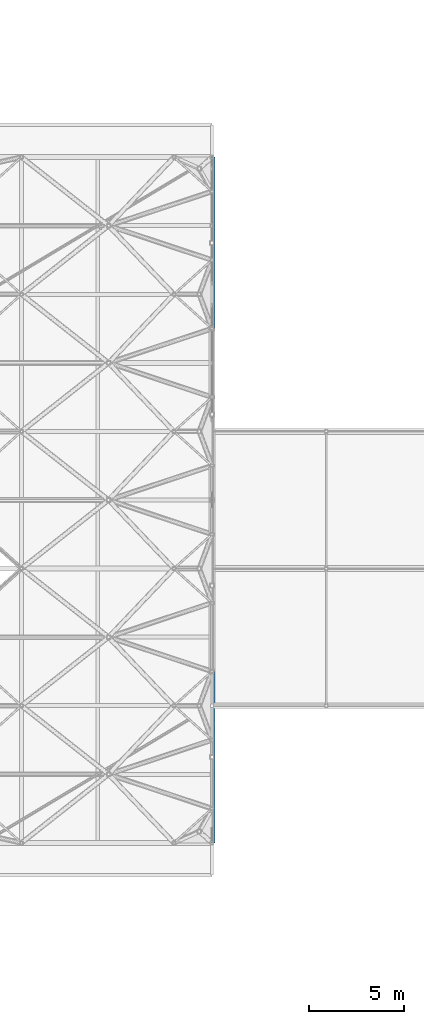
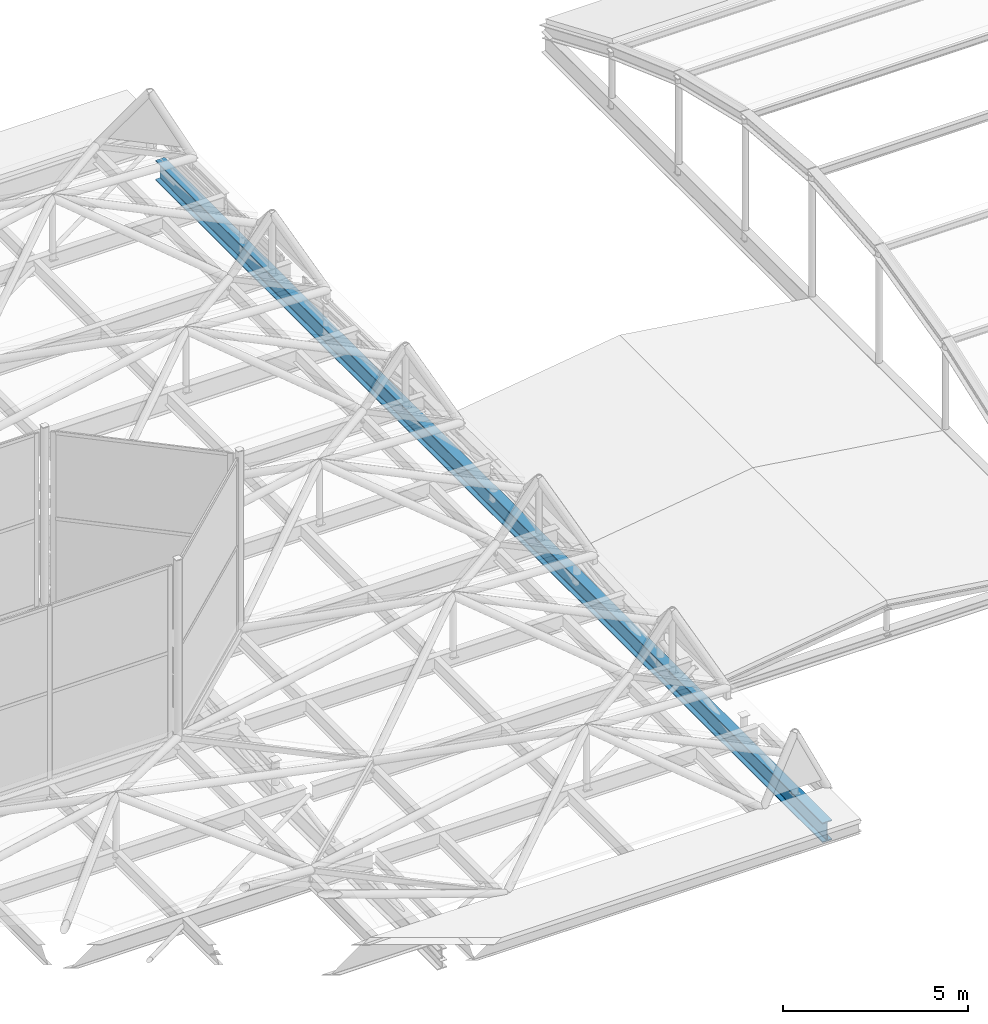
# One storey, part 145 of 239: 1 beam.
"""IFC4 building model written with IfcOpenShell, lengths in metres."""

import ifcopenshell
import ifcopenshell.guid

model = None  # the IFC model being written
_history = None  # IfcOwnerHistory: only IFC2X3 demands one
_inside = {}  # id of a spatial element -> (the spatial element, [elements in it])
_under = {}  # id of a project, library or spatial element -> (it, [spatial elements below it])
_declared = {}  # id of a project -> (the project, [libraries it declares])
_typed = {}  # id of a type object -> (the type object, [elements of that type])
_made_of = {}  # id of a material, layer set ... -> (it, [elements and type objects made of it])


def new_model(schema):
    """Start an empty IFC model of exactly this schema.

    Asked for "IFC4X3", IfcOpenShell would pick the latest addendum, in which some entities
    have other attributes; the version numbers below select the first issue.
    IFC2X3 requires an IfcOwnerHistory on every rooted entity: one is made here for all.
    """
    global model, _history
    if schema == "IFC4X3":
        model = ifcopenshell.file(schema_version=(4, 3, 0, 0))
    else:
        model = ifcopenshell.file(schema=schema)
    _inside.clear()
    _under.clear()
    _declared.clear()
    _typed.clear()
    _made_of.clear()
    _history = None
    if model.schema == "IFC2X3":
        org = make("IfcOrganization", Name="unknown")
        user = make(
            "IfcPersonAndOrganization",
            ThePerson=make("IfcPerson", FamilyName="unknown"),
            TheOrganization=org,
        )
        app = make(
            "IfcApplication",
            ApplicationDeveloper=org,
            Version="unknown",
            ApplicationFullName="unknown",
            ApplicationIdentifier="unknown",
        )
        _history = make(
            "IfcOwnerHistory",
            OwningUser=user,
            OwningApplication=app,
            ChangeAction="ADDED",
            CreationDate=0,
        )
    return model


def make(cls, **values):
    """One entity of the class cls with the attributes given. An attribute that is None is left unset."""
    return model.create_entity(
        cls, **{name: value for name, value in values.items() if value is not None}
    )


def rooted(cls, **values):
    """An entity with a GlobalId (a new one), such as an element, a storey or a relation."""
    return make(cls, GlobalId=ifcopenshell.guid.new(), OwnerHistory=_history, **values)


def si_unit(unit_type, name, prefix=None):
    """IfcSIUnit, for example si_unit("LENGTHUNIT", "METRE", prefix="MILLI")."""
    return make("IfcSIUnit", UnitType=unit_type, Prefix=prefix, Name=name)


def assignment(units):
    """IfcUnitAssignment: the units of a project."""
    return None if units is None else make("IfcUnitAssignment", Units=units)


def point(xyz):
    """IfcCartesianPoint."""
    return None if xyz is None else make("IfcCartesianPoint", Coordinates=xyz)


def direction(xyz):
    """IfcDirection."""
    return None if xyz is None else make("IfcDirection", DirectionRatios=xyz)


def frame(location, z_axis=None, x_axis=None):
    """IfcAxis2Placement3D, a coordinate frame: its origin and axes. An axis left out is left unset."""
    return make(
        "IfcAxis2Placement3D",
        Location=point(location),
        Axis=direction(z_axis),
        RefDirection=direction(x_axis),
    )


def frame_2d(location, x_axis=None):
    """IfcAxis2Placement2D, a coordinate frame in the plane: its origin and x axis."""
    return make(
        "IfcAxis2Placement2D", Location=point(location), RefDirection=direction(x_axis)
    )


def origin():
    """The frame at (0, 0, 0) with its axes left unset."""
    return frame((0.0, 0.0, 0.0))


def origin_2d():
    """The frame at (0, 0) in the plane with its x axis left unset."""
    return frame_2d((0.0, 0.0))


def place(relative_to, where):
    """IfcLocalPlacement: puts the frame where relative to a parent placement (None: the world)."""
    return make(
        "IfcLocalPlacement", PlacementRelTo=relative_to, RelativePlacement=where
    )


def context(
    kind, dimensions, precision=None, world=None, true_north=None, identifier=None
):
    """IfcGeometricRepresentationContext, for example the 3D "Model" context."""
    return make(
        "IfcGeometricRepresentationContext",
        ContextIdentifier=identifier,
        ContextType=kind,
        CoordinateSpaceDimension=dimensions,
        Precision=precision,
        WorldCoordinateSystem=world,
        TrueNorth=true_north,
    )


def subcontext(parent, identifier, kind, view, scale=None):
    """IfcGeometricRepresentationSubContext, for example "Body" below "Model"."""
    return make(
        "IfcGeometricRepresentationSubContext",
        ContextIdentifier=identifier,
        ContextType=kind,
        ParentContext=parent,
        TargetScale=scale,
        TargetView=view,
    )


def project(units=None, contexts=None):
    """IfcProject with its units and contexts."""
    return rooted(
        "IfcProject",
        Name="project",
        RepresentationContexts=contexts,
        UnitsInContext=assignment(units),
    )


def spatial(cls, under=None, at=None, **own):
    """A site, building, storey or space (cls), placed at a placement, below another one or the project."""
    s = rooted(cls, ObjectPlacement=at, **own)
    if under is not None:
        _under.setdefault(under.id(), (under, []))[1].append(s)
    return s


def profile(cls, at=None, kind="AREA", **sizes):
    """A parametric profile (cls). Its sizes go by their IFC names, for example OverallWidth=200.0."""
    return make(cls, ProfileType=kind, Position=at, **sizes)


def i_section(**sizes):
    """IfcIShapeProfileDef."""
    return profile("IfcIShapeProfileDef", **sizes)


def extrude(swept, where, along, depth):
    """IfcExtrudedAreaSolid: the profile swept, set in the frame where, extruded along a direction by depth."""
    return make(
        "IfcExtrudedAreaSolid",
        SweptArea=swept,
        Position=where,
        ExtrudedDirection=direction(along),
        Depth=depth,
    )


def shape(context_of_items, identifier, shape_type, items):
    """IfcShapeRepresentation: the items that make up one representation, for example the "Body"."""
    return make(
        "IfcShapeRepresentation",
        ContextOfItems=context_of_items,
        RepresentationIdentifier=identifier,
        RepresentationType=shape_type,
        Items=items,
    )


def material(Name=None, Category=None):
    """IfcMaterial."""
    return make("IfcMaterial", Name=Name, Category=Category)


def material_profile(
    of_material, cross_section, Name=None, Category=None, Priority=None
):
    """IfcMaterialProfile: a cross section and its material."""
    return make(
        "IfcMaterialProfile",
        Name=Name,
        Material=of_material,
        Profile=cross_section,
        Priority=Priority,
        Category=Category,
    )


def profile_set(profiles, Name=None, composite=None):
    """IfcMaterialProfileSet."""
    return make(
        "IfcMaterialProfileSet",
        Name=Name,
        MaterialProfiles=profiles,
        CompositeProfile=composite,
    )


def made_of(thing, what):
    """Note that an element or type object is made of a material, layer set ...; save() writes the relation."""
    if what is not None:
        _made_of.setdefault(what.id(), (what, []))[1].append(thing)
    return thing


def type_object(cls, material=None, **own):
    """A type object (cls), such as IfcWallType, which elements share."""
    return made_of(rooted(cls, **own), material)


def element(
    cls,
    number,
    at=None,
    inside=None,
    cuts=None,
    type_object=None,
    material=None,
    context=None,
    identifier="Body",
    shape_type=None,
    held_by="IfcProductDefinitionShape",
    body=None,
    shapes=None,
    **own,
):
    """One element of the class cls, such as IfcWall. Its Tag is "e" and its number.

    at: its placement. inside: the storey or other place that contains it. cuts: it is an
    opening in that element (IfcRelVoidsElement). A single representation is given by context,
    identifier, shape_type and body (its items); several are given by shapes. held_by: the class
    of the entity that holds the representations. save() writes the other relations.
    """
    e = rooted(cls, Tag="e%d" % number, ObjectPlacement=at, **own)
    if body is not None:
        shapes = [shape(context, identifier, shape_type, body)]
    if shapes is not None:
        e.Representation = make(held_by, Representations=shapes)
    if inside is not None:
        _inside.setdefault(inside.id(), (inside, []))[1].append(e)
    if cuts is not None:
        rooted(
            "IfcRelVoidsElement", RelatingBuildingElement=cuts, RelatedOpeningElement=e
        )
    if type_object is not None:
        _typed.setdefault(type_object.id(), (type_object, []))[1].append(e)
    return made_of(e, material)


def aggregate(whole, parts):
    """IfcRelAggregates: a whole, such as a stair, and the parts it consists of."""
    return rooted("IfcRelAggregates", RelatingObject=whole, RelatedObjects=parts)


def save(model, path):
    """Write the relations noted so far, then the file.

    IfcRelAggregates (storeys below a building ...), IfcRelContainedInSpatialStructure (elements
    in a storey), IfcRelDefinesByType, IfcRelAssociatesMaterial and IfcRelDeclares: one each for
    every whole, place, type object, material and project.
    """
    for whole, parts in _under.values():
        aggregate(whole, parts)
    for where, things in _inside.values():
        rooted(
            "IfcRelContainedInSpatialStructure",
            RelatedElements=things,
            RelatingStructure=where,
        )
    for kind, things in _typed.values():
        rooted("IfcRelDefinesByType", RelatedObjects=things, RelatingType=kind)
    for what, things in _made_of.values():
        rooted("IfcRelAssociatesMaterial", RelatedObjects=things, RelatingMaterial=what)
    for by, libraries in _declared.values():
        rooted("IfcRelDeclares", RelatingContext=by, RelatedDefinitions=libraries)
    model.write(path)


model = new_model("IFC4")

# Units and contexts
model_context = context("Model", 3, precision=1e-05, world=origin(), true_north=direction((0.0, 1.0)))
body_context = subcontext(model_context, "Body", "Model", "MODEL_VIEW")
ifc_project = project(units=[si_unit("LENGTHUNIT", "METRE"), si_unit("AREAUNIT", "SQUARE_METRE"), si_unit("VOLUMEUNIT", "CUBIC_METRE"), si_unit("PLANEANGLEUNIT", "RADIAN"), si_unit("MASSUNIT", "GRAM", prefix="KILO")], contexts=[model_context])

# Site, building, storey
site_placement = place(None, origin())
site = spatial("IfcSite", under=ifc_project, at=site_placement, CompositionType="ELEMENT")
building_placement = place(site_placement, origin())
building = spatial("IfcBuilding", under=site, at=building_placement, Name="Dunvalen Ferry Terminal", CompositionType="ELEMENT")
storey_placement = place(building_placement, frame((0.0, 0.0, 9.840087890625)))
storey = spatial("IfcBuildingStorey", under=building, at=storey_placement, Name="L02", CompositionType="ELEMENT", Elevation=9.840087890625)

# Beam
ifc_material = material(Name="Steel S355", Category="steel")
ifc_material_profile = material_profile(ifc_material, i_section(OverallWidth=0.300048828125, OverallDepth=0.64990234375, WebThickness=0.01611328125, FlangeThickness=0.031005859375, FilletRadius=0.027099609375, at=origin_2d()), Name="Steel S355")
ifc_profile_set = profile_set([ifc_material_profile], Name="Steel S355")
beam_type = type_object("IfcBeamType", Name="STR-BM-HEB650", PredefinedType="BEAM", material=ifc_profile_set)
beam_placement = place(storey_placement, frame((96.0, 50.39990234375, -0.360107421875), z_axis=(0.0, 1.0, 0.0), x_axis=(-1.0, 0.0, 0.0)))
element("IfcBeam", 1, at=beam_placement, inside=storey, type_object=beam_type, Name="Departure Hall Tied-Arch Tie Girder 08", PredefinedType="BEAM", context=body_context, shape_type="SweptSolid", body=[
    extrude(i_section(OverallWidth=0.300048828125, OverallDepth=0.64990234375, WebThickness=0.01611328125, FlangeThickness=0.031005859375, FilletRadius=0.027099609375, at=origin_2d()), origin(), (0.0, 0.0, 1.0), 36.0),
])

save(model, "model.ifc")
